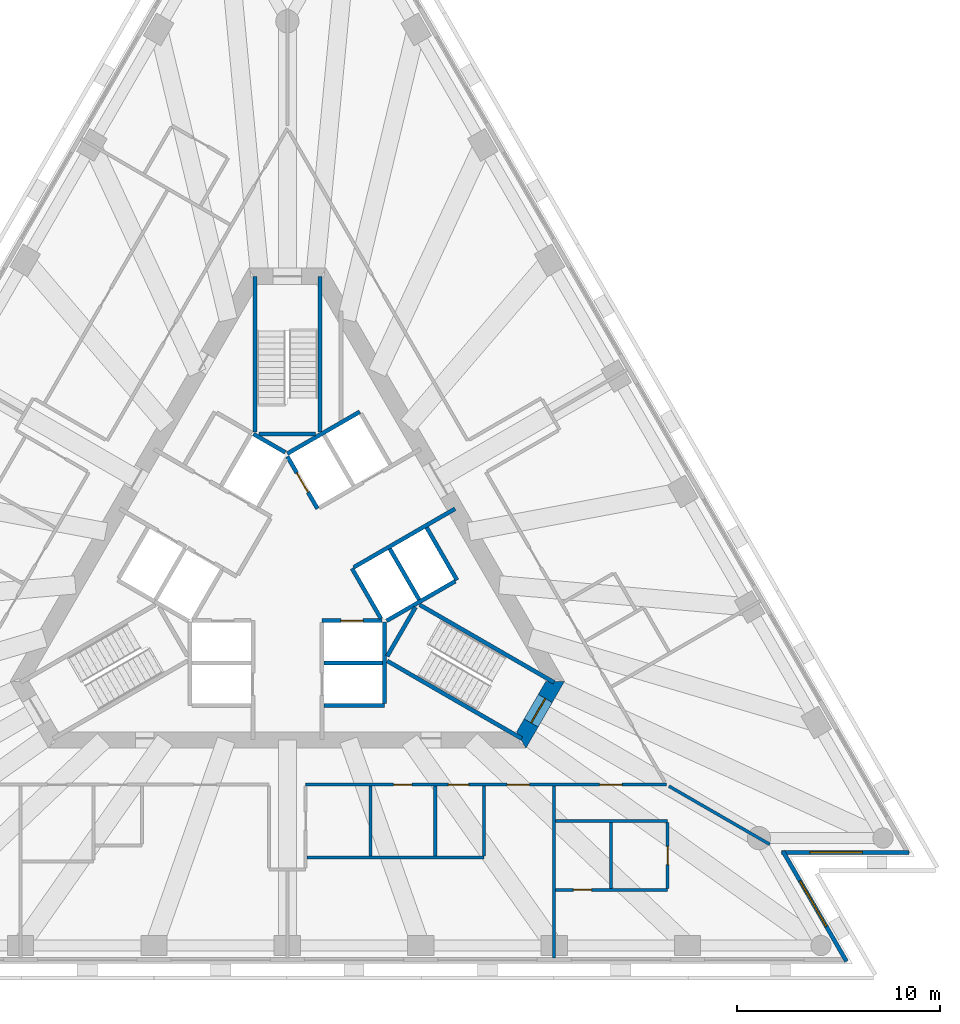
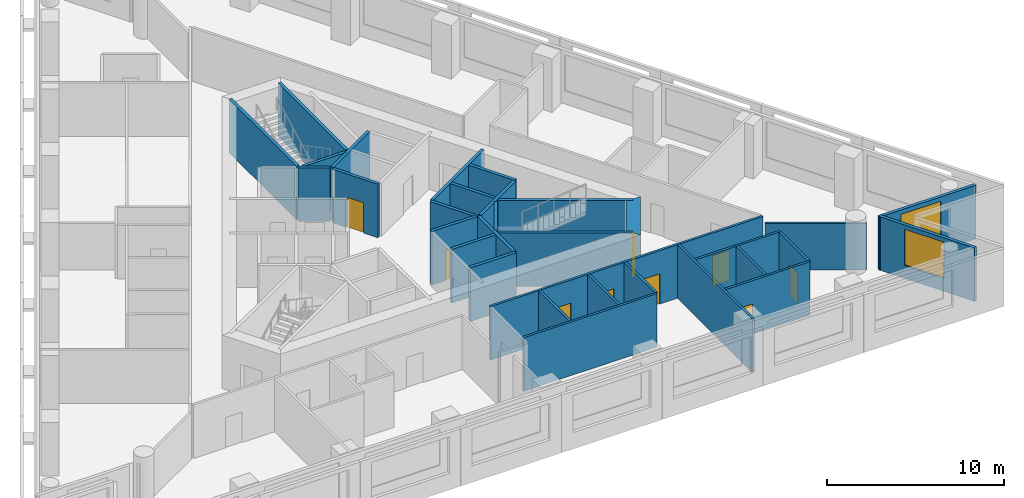
# One storey, part 5 of 10: 32 walls, 9 doors, 2 windows, 11 openings.
"""IFC4 building model written with IfcOpenShell, lengths in metres."""

from ifc_helpers import new_model, si_unit, direction, frame, frame_2d, origin, place, context, subcontext, project, spatial, polyline, rectangle, outline, extrude, material, layer, layer_set, layer_usage, type_object, element, fill, save


model = new_model("IFC4")

# Units and contexts
model_context = context("Model", 3, precision=1e-05, world=origin(), true_north=direction((0.0, 1.0)))
body_context = subcontext(model_context, "Body", "Model", "MODEL_VIEW")
ifc_project = project(units=[si_unit("LENGTHUNIT", "METRE"), si_unit("AREAUNIT", "SQUARE_METRE"), si_unit("VOLUMEUNIT", "CUBIC_METRE"), si_unit("PLANEANGLEUNIT", "RADIAN"), si_unit("MASSUNIT", "GRAM", prefix="KILO")], contexts=[model_context])

# Site, building, storey
site_placement = place(None, origin())
site = spatial("IfcSite", under=ifc_project, at=site_placement, CompositionType="ELEMENT")
building_placement = place(site_placement, origin())
building = spatial("IfcBuilding", under=site, at=building_placement, Name="Triada Interchange Tower", CompositionType="ELEMENT")
storey_placement = place(building_placement, frame((0.0, 0.0, 152.300048828125)))
storey = spatial("IfcBuildingStorey", under=building, at=storey_placement, Name="L35", CompositionType="ELEMENT", Elevation=152.300048828125)

# Walls
ifc_material_1 = material(Name="Concrete C30/37", Category="concrete")
ifc_layer_1 = layer(ifc_material_1, 0.199951171875)
ifc_layer_set_1 = layer_set([ifc_layer_1], Name="CORE WALL 200 EI 120")
wall_type_1 = type_object("IfcWallType", Name="CORE WALL 200 EI 120", PredefinedType="SOLIDWALL", material=ifc_layer_set_1)
wall_1_placement = place(storey_placement, frame((1.800048828125, -6.89990234375, 0.0), z_axis=(0.0, 0.0, 1.0), x_axis=(1.0, 0.0, 0.0)))
element("IfcWall", 1, at=wall_1_placement, inside=storey, type_object=wall_type_1, Name="Wall L35 55", PredefinedType="SOLIDWALL", context=body_context, shape_type="SweptSolid", body=[
    extrude(rectangle(XDim=3.0, YDim=0.199951171875, at=frame_2d((1.5, 0.0))), origin(), (0.0, 0.0, 1.0), 3.699951171875),
])
wall_2_placement = place(storey_placement, frame((1.800048828125, -4.800048828125, 0.0), z_axis=(0.0, 0.0, 1.0), x_axis=(1.0, 0.0, 0.0)))
element("IfcWall", 2, at=wall_2_placement, inside=storey, type_object=wall_type_1, Name="Wall L35 57", PredefinedType="SOLIDWALL", context=body_context, shape_type="SweptSolid", body=[
    extrude(rectangle(XDim=2.89990234375, YDim=0.199951171875, at=frame_2d((1.449951171875, 0.0))), origin(), (0.0, 0.0, 1.0), 3.699951171875),
])

# Wall, opening, door
wall_3_placement = place(storey_placement, frame((1.702880859375, -2.699951171875, 0.0), z_axis=(0.0, 0.0, 1.0), x_axis=(1.0, 0.0, 0.0)))
wall_3 = element("IfcWall", 3, at=wall_3_placement, inside=storey, type_object=wall_type_1, Name="Wall L35 60", PredefinedType="SOLIDWALL", context=body_context, shape_type="SweptSolid", body=[
    extrude(rectangle(XDim=2.97314453125, YDim=0.199951171875, at=frame_2d((1.486572265625, 0.0))), origin(), (0.0, 0.0, 1.0), 3.699951171875),
])
opening_1_placement = place(wall_3_placement, frame((0.93603515625, 0.0, 0.0)))
opening_1 = element("IfcOpeningElement", 4, at=opening_1_placement, cuts=wall_3, Name="Opening LD-LR1", PredefinedType="OPENING", context=body_context, shape_type="SweptSolid", body=[
    extrude(rectangle(XDim=1.10009765625, YDim=2.10009765625, at=frame_2d((0.550048828125, 1.050048828125))), frame((0.0, 0.10986328125, 0.0), z_axis=(0.0, -1.0, 0.0), x_axis=(1.0, 0.0, 0.0)), (0.0, 0.0, 1.0), 0.219970703125),
])
ifc_material_2 = material(Name="Steel S235 door leaf", Category="steel")
door_type_1 = type_object("IfcDoorType", Name="LIFT LANDING DOOR 1100 EI 120", OperationType="SLIDING_TO_LEFT", PredefinedType="DOOR", material=ifc_material_2)
door_1_placement = place(opening_1_placement, origin())
door_1 = element("IfcDoor", 5, at=door_1_placement, inside=storey, type_object=door_type_1, Name="LR1 landing door L35", OperationType="SLIDING_TO_LEFT", OverallHeight=2.10009765625, OverallWidth=1.10009765625, PredefinedType="DOOR", context=body_context, shape_type="SweptSolid", body=[
    extrude(rectangle(XDim=1.10009765625, YDim=2.10009765625, at=frame_2d((0.550048828125, 1.050048828125))), frame((0.0, 0.02490234375, 0.0), z_axis=(0.0, -1.0, 0.0), x_axis=(1.0, 0.0, 0.0)), (0.0, 0.0, 1.0), 0.050048828125),
])
fill(opening_1, door_1)

# Wall
wall_4_placement = place(storey_placement, frame((-0.001953125, 5.541015625, 0.0), z_axis=(0.0, 0.0, 1.0), x_axis=(0.86600155993, 0.500041296494, 0.0)))
element("IfcWall", 6, at=wall_4_placement, inside=storey, type_object=wall_type_1, Name="Wall L35 61", PredefinedType="SOLIDWALL", context=body_context, shape_type="SweptSolid", body=[
    extrude(rectangle(XDim=4.131591796875, YDim=0.199951171875, at=frame_2d((2.06591796875, 0.0))), origin(), (0.0, 0.0, 1.0), 3.699951171875),
])

# Wall, opening, door
wall_5_placement = place(storey_placement, frame((0.0, 5.39990234375, 0.0), z_axis=(0.0, 0.0, 1.0), x_axis=(0.500103862429, -0.865965430478, 0.0)))
wall_5 = element("IfcWall", 7, at=wall_5_placement, inside=storey, type_object=wall_type_1, Name="Wall L35 62", PredefinedType="SOLIDWALL", context=body_context, shape_type="SweptSolid", body=[
    extrude(rectangle(XDim=2.973388671875, YDim=0.199951171875, at=frame_2d((1.48681640625, 0.0))), origin(), (0.0, 0.0, 1.0), 3.699951171875),
])
opening_2_placement = place(wall_5_placement, frame((0.93701171875, 0.0, 0.0)))
opening_2 = element("IfcOpeningElement", 8, at=opening_2_placement, cuts=wall_5, Name="Opening LD-LR5", PredefinedType="OPENING", context=body_context, shape_type="SweptSolid", body=[
    extrude(rectangle(XDim=1.10009765625, YDim=2.10009765625, at=frame_2d((0.550048828125, 1.050048828125))), frame((0.0, 0.10986328125, 0.0), z_axis=(0.0, -1.0, 0.0), x_axis=(1.0, 0.0, 0.0)), (0.0, 0.0, 1.0), 0.219970703125),
])
door_2_placement = place(opening_2_placement, origin())
door_2 = element("IfcDoor", 9, at=door_2_placement, inside=storey, type_object=door_type_1, Name="LR5 landing door L35", OperationType="SLIDING_TO_LEFT", OverallHeight=2.10009765625, OverallWidth=1.10009765625, PredefinedType="DOOR", context=body_context, shape_type="SweptSolid", body=[
    extrude(rectangle(XDim=1.10009765625, YDim=2.10009765625, at=frame_2d((0.550048828125, 1.050048828125))), frame((0.0, 0.02490234375, 0.0), z_axis=(0.0, -1.0, 0.0), x_axis=(1.0, 0.0, 0.0)), (0.0, 0.0, 1.0), 0.050048828125),
])
fill(opening_2, door_2)

# Walls
wall_6_placement = place(storey_placement, frame((3.18994140625, -0.125, 0.0), z_axis=(0.0, 0.0, 1.0), x_axis=(0.499988658015, -0.866031951983, 0.0)))
element("IfcWall", 10, at=wall_6_placement, inside=storey, type_object=wall_type_1, Name="Wall L35 63", PredefinedType="SOLIDWALL", context=body_context, shape_type="SweptSolid", body=[
    extrude(rectangle(XDim=2.85791015625, YDim=0.199951171875, at=frame_2d((1.428955078125, 0.0))), origin(), (0.0, 0.0, 1.0), 3.699951171875),
])
wall_7_placement = place(storey_placement, frame((4.800048828125, -6.800048828125, 0.0), z_axis=(0.0, 0.0, 1.0), x_axis=(0.0, 1.0, 0.0)))
element("IfcWall", 11, at=wall_7_placement, inside=storey, type_object=wall_type_1, Name="Wall L35 66", PredefinedType="SOLIDWALL", context=body_context, shape_type="SweptSolid", body=[
    extrude(rectangle(XDim=4.029052734375, YDim=0.199951171875, at=frame_2d((2.0146484375, 0.0))), origin(), (0.0, 0.0, 1.0), 3.699951171875),
])
wall_8_placement = place(storey_placement, frame((5.056884765625, 0.841064453125, 0.0), z_axis=(0.0, 0.0, 1.0), x_axis=(0.50012328804, -0.865954211699, 0.0)))
element("IfcWall", 12, at=wall_8_placement, inside=storey, type_object=wall_type_1, Name="Wall L35 68", PredefinedType="SOLIDWALL", context=body_context, shape_type="SweptSolid", body=[
    extrude(rectangle(XDim=2.899658203125, YDim=0.199951171875, at=frame_2d((1.44970703125, 0.0))), origin(), (0.0, 0.0, 1.0), 3.699951171875),
])
wall_9_placement = place(storey_placement, frame((6.8759765625, 1.89111328125, 0.0), z_axis=(0.0, 0.0, 1.0), x_axis=(0.499990139034, -0.866031096941, 0.0)))
element("IfcWall", 13, at=wall_9_placement, inside=storey, type_object=wall_type_1, Name="Wall L35 70", PredefinedType="SOLIDWALL", context=body_context, shape_type="SweptSolid", body=[
    extrude(rectangle(XDim=3.0, YDim=0.199951171875, at=frame_2d((1.5, 0.0))), origin(), (0.0, 0.0, 1.0), 3.699951171875),
])
wall_10_placement = place(storey_placement, frame((3.278076171875, -0.071044921875, 0.0), z_axis=(0.0, 0.0, 1.0), x_axis=(0.865929348003, 0.5001663366, 0.0)))
element("IfcWall", 14, at=wall_10_placement, inside=storey, type_object=wall_type_1, Name="Wall L35 71", PredefinedType="SOLIDWALL", context=body_context, shape_type="SweptSolid", body=[
    extrude(rectangle(XDim=5.7763671875, YDim=0.199951171875, at=frame_2d((2.88818359375, 0.0))), origin(), (0.0, 0.0, 1.0), 3.699951171875),
])
wall_11_placement = place(storey_placement, frame((4.89990234375, -2.714111328125, 0.0), z_axis=(0.0, 0.0, 1.0), x_axis=(0.865992350556, 0.500057245502, 0.0)))
element("IfcWall", 15, at=wall_11_placement, inside=storey, type_object=wall_type_1, Name="Wall L35 72", PredefinedType="SOLIDWALL", context=body_context, shape_type="SweptSolid", body=[
    extrude(rectangle(XDim=3.91357421875, YDim=0.199951171875, at=frame_2d((1.956787109375, 0.0))), origin(), (0.0, 0.0, 1.0), 3.699951171875),
])
ifc_layer_2 = layer(ifc_material_1, 0.199951171875)
ifc_layer_set_2 = layer_set([ifc_layer_2], Name="CORE WALL 200 EI 180")
wall_type_2 = type_object("IfcWallType", Name="CORE WALL 200 EI 180", PredefinedType="SOLIDWALL", material=ifc_layer_set_2)
wall_12_placement = place(storey_placement, frame((-1.669921875, 6.507080078125, 0.0), z_axis=(0.0, 0.0, 1.0), x_axis=(0.865941441609, -0.500145398563, 0.0)))
element("IfcWall", 16, at=wall_12_placement, inside=storey, type_object=wall_type_2, Name="Shaft wall FF2 L35 86", PredefinedType="SOLIDWALL", context=body_context, shape_type="SweptSolid", body=[
    extrude(rectangle(XDim=1.8154296875, YDim=0.199951171875, at=frame_2d((0.90771484375, 0.0))), origin(), (0.0, 0.0, 1.0), 3.699951171875),
])
ifc_layer_3 = layer(ifc_material_1, 0.199951171875)
ifc_layer_set_3 = layer_set([ifc_layer_3], Name="CORE WALL 200 REI 240")
wall_type_3 = type_object("IfcWallType", Name="CORE WALL 200 REI 240", PredefinedType="SOLIDWALL", material=ifc_layer_set_3)
wall_13_placement = place(storey_placement, frame((1.60009765625, 6.614990234375, 0.0), z_axis=(0.0, 0.0, 1.0), x_axis=(0.0, 1.0, 0.0)))
element("IfcWall", 17, at=wall_13_placement, inside=storey, type_object=wall_type_3, Name="Wall L35 92", PredefinedType="SOLIDWALL", context=body_context, shape_type="SweptSolid", body=[
    extrude(rectangle(XDim=7.6650390625, YDim=0.199951171875, at=frame_2d((3.83251953125, 0.0))), origin(), (0.0, 0.0, 1.0), 3.699951171875),
])
wall_14_placement = place(storey_placement, frame((-1.39990234375, 6.5, 0.0), z_axis=(0.0, 0.0, 1.0), x_axis=(1.0, 0.0, 0.0)))
element("IfcWall", 18, at=wall_14_placement, inside=storey, type_object=wall_type_3, Name="Wall L35 93", PredefinedType="SOLIDWALL", context=body_context, shape_type="SweptSolid", body=[
    extrude(rectangle(XDim=2.7998046875, YDim=0.199951171875, at=frame_2d((1.39990234375, 0.0))), origin(), (0.0, 0.0, 1.0), 3.699951171875),
])
for number, where, z_axis, x_axis, name in (
    (19, (-1.60009765625, 6.614990234375, 0.0), (0.0, 0.0, 1.0), (0.0, 1.0, 0.0), "Wall L35 94"),
    (20, (4.928955078125, -4.693115234375, 0.0), (0.0, 0.0, 1.0), (0.866005769735, -0.50003400563, 0.0), "Wall L35 95"),
):
    element("IfcWall", number, at=place(storey_placement, frame(where, z_axis=z_axis, x_axis=x_axis)), inside=storey, type_object=wall_type_3, Name=name, PredefinedType="SOLIDWALL", context=body_context, shape_type="SweptSolid", body=[
        extrude(rectangle(XDim=7.6650390625, YDim=0.199951171875, at=frame_2d((3.83251953125, 0.0))), origin(), (0.0, 0.0, 1.0), 3.699951171875),
    ])
wall_15_placement = place(storey_placement, frame((4.928955078125, -4.4619140625, 0.0), z_axis=(0.0, 0.0, 1.0), x_axis=(0.500200581029, 0.865909567298, 0.0)))
element("IfcWall", 21, at=wall_15_placement, inside=storey, type_object=wall_type_3, Name="Wall L35 96", PredefinedType="SOLIDWALL", context=body_context, shape_type="SweptSolid", body=[
    extrude(rectangle(XDim=2.799072265625, YDim=0.199951171875, at=frame_2d((1.3994140625, 0.0))), origin(), (0.0, 0.0, 1.0), 3.699951171875),
])
wall_16_placement = place(storey_placement, frame((6.529052734375, -1.922119140625, 0.0), z_axis=(0.0, 0.0, 1.0), x_axis=(0.866060938598, -0.499938446846, 0.0)))
element("IfcWall", 22, at=wall_16_placement, inside=storey, type_object=wall_type_3, Name="Wall L35 97", PredefinedType="SOLIDWALL", context=body_context, shape_type="SweptSolid", body=[
    extrude(rectangle(XDim=7.66455078125, YDim=0.199951171875, at=frame_2d((3.832275390625, 0.0))), origin(), (0.0, 0.0, 1.0), 3.699951171875),
])

# Wall, opening, door
ifc_material_3 = material(Name="Concrete C60/75", Category="concrete")
ifc_layer_4 = layer(ifc_material_3, 0.800048828125)
ifc_layer_set_4 = layer_set([ifc_layer_4], Name="Core wall B 800")
wall_type_4 = type_object("IfcWallType", Name="Core wall B 800", PredefinedType="SHEAR", material=ifc_layer_set_4)
wall_17_placement = place(storey_placement, frame((11.547119140625, -8.60009765625, -0.300048828125), z_axis=(0.0, 0.0, 1.0), x_axis=(0.49987182685, 0.866099391942, 0.0)))
wall_17 = element("IfcWall", 23, at=wall_17_placement, inside=storey, type_object=wall_type_4, Name="Core wall WB05 L35", PredefinedType="SHEAR", context=body_context, shape_type="SweptSolid", body=[
    extrude(outline(polyline([(-0.23095703125, -0.39990234375), (1.674072265625, -0.39990234375), (3.5791015625, -0.39990234375), (3.117919921875, 0.39990234375), (1.67431640625, 0.39990234375), (0.23095703125, 0.39990234375), (-0.23095703125, -0.39990234375)])), origin(), (0.0, 0.0, 1.0), 4.0),
])
opening_3_placement = place(wall_17_placement, frame((0.97412109375, 0.0, 0.300048828125)))
opening_3 = element("IfcOpeningElement", 24, at=opening_3_placement, cuts=wall_17, Name="Opening D35-39", PredefinedType="OPENING", context=body_context, shape_type="SweptSolid", body=[
    extrude(rectangle(XDim=1.39990234375, YDim=2.10009765625, at=frame_2d((0.699951171875, 1.050048828125))), frame((0.0, 0.409912109375, 0.0), z_axis=(0.0, -1.0, 0.0), x_axis=(1.0, 0.0, 0.0)), (0.0, 0.0, 1.0), 0.820068359375),
])
door_type_2 = type_object("IfcDoorType", Name="STAIR DOOR 1400 EI2 90-C5S200", OperationType="DOUBLE_DOOR_SINGLE_SWING", PredefinedType="DOOR", material=ifc_material_2)
door_3_placement = place(opening_3_placement, origin())
door_3 = element("IfcDoor", 25, at=door_3_placement, inside=storey, type_object=door_type_2, Name="Door D35-39 L35", OperationType="DOUBLE_DOOR_SINGLE_SWING", OverallHeight=2.10009765625, OverallWidth=1.39990234375, PredefinedType="DOOR", context=body_context, shape_type="SweptSolid", body=[
    extrude(rectangle(XDim=1.39990234375, YDim=2.10009765625, at=frame_2d((0.699951171875, 1.050048828125))), frame((0.0, 0.02490234375, 0.0), z_axis=(0.0, -1.0, 0.0), x_axis=(1.0, 0.0, 0.0)), (0.0, 0.0, 1.0), 0.050048828125),
])
fill(opening_3, door_3)

# Wall, opening, window
ifc_material_4 = material(Name="Cement board")
ifc_layer_5 = layer(ifc_material_4, 0.02001953125, Name="Cement board cladding")
ifc_material_5 = material(Name="Sheathing board")
ifc_layer_6 = layer(ifc_material_5, 0.014892578125, Name="Sheathing board")
ifc_material_6 = material(Name="Mineral wool")
ifc_layer_7 = layer(ifc_material_6, 0.14990234375, Name="Mineral wool between steel studs")
ifc_material_7 = material(Name="Gypsum board")
ifc_layer_8 = layer(ifc_material_7, 0.014892578125, Name="Plasterboard lining")
ifc_layer_set_5 = layer_set([ifc_layer_5, ifc_layer_6, ifc_layer_7, ifc_layer_8], Name="External wall 200")
ifc_layer_usage = layer_usage(ifc_layer_set_5, "AXIS2", "POSITIVE", -0.10009765625)
wall_type_5 = type_object("IfcWallType", Name="External wall 200", PredefinedType="ELEMENTEDWALL", material=ifc_layer_set_5)
wall_18_placement = place(storey_placement, frame((27.60205078125, -19.52392578125, 0.0), z_axis=(0.0, 0.0, 1.0), x_axis=(-0.500074377092, 0.865982457891, 0.0)))
wall_18 = element("IfcWall", 26, at=wall_18_placement, inside=storey, type_object=wall_type_5, material=ifc_layer_usage, Name="External wall L35 SE-1", PredefinedType="ELEMENTEDWALL", context=body_context, shape_type="SweptSolid", body=[
    extrude(rectangle(XDim=6.28515625, YDim=0.199951171875, at=frame_2d((3.142578125, 0.0))), origin(), (0.0, 0.0, 1.0), 3.699951171875),
])
opening_4_placement = place(wall_18_placement, frame((1.989990234375, 0.0, 0.89990234375)))
opening_4 = element("IfcOpeningElement", 27, at=opening_4_placement, cuts=wall_18, Name="Opening WB19", PredefinedType="OPENING", context=body_context, shape_type="SweptSolid", body=[
    extrude(rectangle(XDim=2.60009765625, YDim=2.5, at=frame_2d((1.300048828125, 1.25))), frame((0.0, 0.10986328125, 0.0), z_axis=(0.0, -1.0, 0.0), x_axis=(1.0, 0.0, 0.0)), (0.0, 0.0, 1.0), 0.219970703125),
])
ifc_material_8 = material(Name="Double glazed aluminium window", Category="aluminium")
window_type = type_object("IfcWindowType", Name="Ribbon window B pocket", PartitioningType="SINGLE_PANEL", PredefinedType="WINDOW", material=ifc_material_8)
window_1_placement = place(opening_4_placement, origin())
window_1 = element("IfcWindow", 28, at=window_1_placement, inside=storey, type_object=window_type, Name="Window L35 SE-1 1", OverallHeight=2.5, OverallWidth=2.60009765625, PartitioningType="SINGLE_PANEL", PredefinedType="WINDOW", context=body_context, shape_type="SweptSolid", body=[
    extrude(rectangle(XDim=2.60009765625, YDim=2.5, at=frame_2d((1.300048828125, 1.25))), frame((0.0, 0.030029296875, 0.0), z_axis=(0.0, -1.0, 0.0), x_axis=(1.0, 0.0, 0.0)), (0.0, 0.0, 1.0), 0.06005859375),
])
fill(opening_4, window_1)

wall_19_placement = place(storey_placement, frame((24.404052734375, -14.14208984375, 0.0), z_axis=(0.0, 0.0, 1.0), x_axis=(1.0, 0.0, 0.0)))
wall_19 = element("IfcWall", 29, at=wall_19_placement, inside=storey, type_object=wall_type_5, material=ifc_layer_usage, Name="External wall L35 SE-2", PredefinedType="ELEMENTEDWALL", context=body_context, shape_type="SweptSolid", body=[
    extrude(rectangle(XDim=6.284912109375, YDim=0.199951171875, at=frame_2d((3.142578125, 0.0))), origin(), (0.0, 0.0, 1.0), 3.699951171875),
])
opening_5_placement = place(wall_19_placement, frame((1.389892578125, 0.0, 0.89990234375)))
opening_5 = element("IfcOpeningElement", 30, at=opening_5_placement, cuts=wall_19, Name="Opening WB20", PredefinedType="OPENING", context=body_context, shape_type="SweptSolid", body=[
    extrude(rectangle(XDim=2.60009765625, YDim=2.5, at=frame_2d((1.300048828125, 1.25))), frame((0.0, 0.10986328125, 0.0), z_axis=(0.0, -1.0, 0.0), x_axis=(1.0, 0.0, 0.0)), (0.0, 0.0, 1.0), 0.219970703125),
])
window_2_placement = place(opening_5_placement, origin())
window_2 = element("IfcWindow", 31, at=window_2_placement, inside=storey, type_object=window_type, Name="Window L35 SE-2 1", OverallHeight=2.5, OverallWidth=2.60009765625, PartitioningType="SINGLE_PANEL", PredefinedType="WINDOW", context=body_context, shape_type="SweptSolid", body=[
    extrude(rectangle(XDim=2.60009765625, YDim=2.5, at=frame_2d((1.300048828125, 1.25))), frame((0.0, 0.030029296875, 0.0), z_axis=(0.0, -1.0, 0.0), x_axis=(1.0, 0.0, 0.0)), (0.0, 0.0, 1.0), 0.06005859375),
])
fill(opening_5, window_2)

# Wall, openings, doors
ifc_material_9 = material(Name="Gypsum board partition")
ifc_layer_9 = layer(ifc_material_9, 0.14990234375)
ifc_layer_set_6 = layer_set([ifc_layer_9], Name="PARTITION 150 EI 180")
wall_type_6 = type_object("IfcWallType", Name="PARTITION 150 EI 180", PredefinedType="PARTITIONING", material=ifc_layer_set_6)
wall_20_placement = place(storey_placement, frame((0.90087890625, -10.800048828125, 0.0), z_axis=(0.0, 0.0, 1.0), x_axis=(1.0, 0.0, 0.0)))
wall_20 = element("IfcWall", 32, at=wall_20_placement, inside=storey, type_object=wall_type_6, Name="Wall L35 5", PredefinedType="PARTITIONING", context=body_context, shape_type="SweptSolid", body=[
    extrude(rectangle(XDim=17.80517578125, YDim=0.14990234375, at=frame_2d((8.902587890625, 0.0))), origin(), (0.0, 0.0, 1.0), 3.699951171875),
])
opening_6_placement = place(wall_20_placement, frame((9.948974609375, 0.0, 0.0)))
opening_6 = element("IfcOpeningElement", 33, at=opening_6_placement, cuts=wall_20, Name="Opening D35-15", PredefinedType="OPENING", context=body_context, shape_type="SweptSolid", body=[
    extrude(rectangle(XDim=1.10009765625, YDim=2.10009765625, at=frame_2d((0.550048828125, 1.050048828125))), frame((0.0, 0.0849609375, 0.0), z_axis=(0.0, -1.0, 0.0), x_axis=(1.0, 0.0, 0.0)), (0.0, 0.0, 1.0), 0.169921875),
])
opening_7_placement = place(wall_20_placement, frame((4.34912109375, 0.0, 0.0)))
opening_7 = element("IfcOpeningElement", 34, at=opening_7_placement, cuts=wall_20, Name="Opening D35-17", PredefinedType="OPENING", context=body_context, shape_type="SweptSolid", body=[
    extrude(rectangle(XDim=0.89990234375, YDim=2.10009765625, at=frame_2d((0.449951171875, 1.050048828125))), frame((0.0, 0.0849609375, 0.0), z_axis=(0.0, -1.0, 0.0), x_axis=(1.0, 0.0, 0.0)), (0.0, 0.0, 1.0), 0.169921875),
])
opening_8_placement = place(wall_20_placement, frame((7.049072265625, 0.0, 0.0)))
opening_8 = element("IfcOpeningElement", 35, at=opening_8_placement, cuts=wall_20, Name="Opening D35-18", PredefinedType="OPENING", context=body_context, shape_type="SweptSolid", body=[
    extrude(rectangle(XDim=1.0, YDim=2.10009765625, at=frame_2d((0.5, 1.050048828125))), frame((0.0, 0.0849609375, 0.0), z_axis=(0.0, -1.0, 0.0), x_axis=(1.0, 0.0, 0.0)), (0.0, 0.0, 1.0), 0.169921875),
])
opening_9_placement = place(wall_20_placement, frame((14.52099609375, 0.0, 0.0)))
opening_9 = element("IfcOpeningElement", 36, at=opening_9_placement, cuts=wall_20, Name="Opening D35-19", PredefinedType="OPENING", context=body_context, shape_type="SweptSolid", body=[
    extrude(rectangle(XDim=1.10009765625, YDim=2.10009765625, at=frame_2d((0.550048828125, 1.050048828125))), frame((0.0, 0.0849609375, 0.0), z_axis=(0.0, -1.0, 0.0), x_axis=(1.0, 0.0, 0.0)), (0.0, 0.0, 1.0), 0.169921875),
])
door_type_3 = type_object("IfcDoorType", Name="ROOM DOOR 1000 EI2 90-C5S200", OperationType="NOTDEFINED", PredefinedType="DOOR", material=ifc_material_2)
door_4_placement = place(opening_8_placement, origin())
door_4 = element("IfcDoor", 37, at=door_4_placement, inside=storey, type_object=door_type_3, Name="Door D35-18 L35", OperationType="SINGLE_SWING_LEFT", OverallHeight=2.10009765625, OverallWidth=1.0, PredefinedType="DOOR", context=body_context, shape_type="SweptSolid", body=[
    extrude(rectangle(XDim=1.0, YDim=2.10009765625, at=frame_2d((0.5, 1.050048828125))), frame((0.0, 0.02490234375, 0.0), z_axis=(0.0, -1.0, 0.0), x_axis=(1.0, 0.0, 0.0)), (0.0, 0.0, 1.0), 0.050048828125),
])
fill(opening_8, door_4)
door_type_4 = type_object("IfcDoorType", Name="ROOM DOOR 900 EI2 90-C5S200", OperationType="NOTDEFINED", PredefinedType="DOOR", material=ifc_material_2)
door_5_placement = place(opening_7_placement, origin())
door_5 = element("IfcDoor", 38, at=door_5_placement, inside=storey, type_object=door_type_4, Name="Door D35-17 L35", OperationType="SINGLE_SWING_RIGHT", OverallHeight=2.10009765625, OverallWidth=0.89990234375, PredefinedType="DOOR", context=body_context, shape_type="SweptSolid", body=[
    extrude(rectangle(XDim=0.89990234375, YDim=2.10009765625, at=frame_2d((0.449951171875, 1.050048828125))), frame((0.0, 0.02490234375, 0.0), z_axis=(0.0, -1.0, 0.0), x_axis=(1.0, 0.0, 0.0)), (0.0, 0.0, 1.0), 0.050048828125),
])
fill(opening_7, door_5)
door_type_5 = type_object("IfcDoorType", Name="TENANCY ENTRANCE DOOR 1100 EI2 90-C5S200", OperationType="NOTDEFINED", PredefinedType="DOOR", material=ifc_material_2)
door_6_placement = place(opening_6_placement, origin())
door_6 = element("IfcDoor", 39, at=door_6_placement, inside=storey, type_object=door_type_5, Name="Door D35-15 L35", OperationType="SINGLE_SWING_LEFT", OverallHeight=2.10009765625, OverallWidth=1.10009765625, PredefinedType="DOOR", context=body_context, shape_type="SweptSolid", body=[
    extrude(rectangle(XDim=1.10009765625, YDim=2.10009765625, at=frame_2d((0.550048828125, 1.050048828125))), frame((0.0, 0.02490234375, 0.0), z_axis=(0.0, -1.0, 0.0), x_axis=(1.0, 0.0, 0.0)), (0.0, 0.0, 1.0), 0.050048828125),
])
fill(opening_6, door_6)
door_7_placement = place(opening_9_placement, origin())
door_7 = element("IfcDoor", 40, at=door_7_placement, inside=storey, type_object=door_type_5, Name="Door D35-19 L35", OperationType="SINGLE_SWING_LEFT", OverallHeight=2.10009765625, OverallWidth=1.10009765625, PredefinedType="DOOR", context=body_context, shape_type="SweptSolid", body=[
    extrude(rectangle(XDim=1.10009765625, YDim=2.10009765625, at=frame_2d((0.550048828125, 1.050048828125))), frame((0.0, 0.02490234375, 0.0), z_axis=(0.0, -1.0, 0.0), x_axis=(1.0, 0.0, 0.0)), (0.0, 0.0, 1.0), 0.050048828125),
])
fill(opening_9, door_7)

# Walls
wall_21_placement = place(storey_placement, frame((18.8359375, -10.875, 0.0), z_axis=(0.0, 0.0, 1.0), x_axis=(0.86606191518, -0.499936755075, 0.0)))
element("IfcWall", 41, at=wall_21_placement, inside=storey, type_object=wall_type_6, Name="Wall L35 9", PredefinedType="PARTITIONING", context=body_context, shape_type="SweptSolid", body=[
    extrude(rectangle(XDim=5.752685546875, YDim=0.14990234375, at=frame_2d((2.87646484375, 0.0))), origin(), (0.0, 0.0, 1.0), 3.199951171875),
])
wall_22_placement = place(storey_placement, frame((0.97509765625, -14.39990234375, 0.0), z_axis=(0.0, 0.0, 1.0), x_axis=(1.0, 0.0, 0.0)))
element("IfcWall", 42, at=wall_22_placement, inside=storey, type_object=wall_type_6, Name="Wall L35 32", PredefinedType="PARTITIONING", context=body_context, shape_type="SweptSolid", body=[
    extrude(rectangle(XDim=8.724853515625, YDim=0.14990234375, at=frame_2d((4.3623046875, 0.0))), origin(), (0.0, 0.0, 1.0), 3.699951171875),
])
for number, where, z_axis, x_axis, name in (
    (43, (4.10009765625, -14.324951171875, 0.0), (0.0, 0.0, 1.0), (0.0, 1.0, 0.0), "Wall L35 33"),
    (44, (9.699951171875, -14.324951171875, 0.0), (0.0, 0.0, 1.0), (0.0, 1.0, 0.0), "Wall L35 34"),
    (45, (7.300048828125, -14.324951171875, 0.0), (0.0, 0.0, 1.0), (0.0, 1.0, 0.0), "Wall L35 35"),
):
    element("IfcWall", number, at=place(storey_placement, frame(where, z_axis=z_axis, x_axis=x_axis)), inside=storey, type_object=wall_type_6, Name=name, PredefinedType="PARTITIONING", context=body_context, shape_type="SweptSolid", body=[
        extrude(rectangle(XDim=3.449951171875, YDim=0.14990234375, at=frame_2d((1.72509765625, 0.0))), origin(), (0.0, 0.0, 1.0), 3.699951171875),
    ])
wall_23_placement = place(storey_placement, frame((13.172119140625, -19.365966796875, 0.0), z_axis=(0.0, 0.0, 1.0), x_axis=(0.0, 1.0, 0.0)))
element("IfcWall", 46, at=wall_23_placement, inside=storey, type_object=wall_type_6, Name="Wall L35 37", PredefinedType="PARTITIONING", context=body_context, shape_type="SweptSolid", body=[
    extrude(rectangle(XDim=8.490966796875, YDim=0.14990234375, at=frame_2d((4.24560546875, 0.0))), origin(), (0.0, 0.0, 1.0), 3.699951171875),
])

# Wall, opening, door
ifc_layer_10 = layer(ifc_material_9, 0.14990234375)
ifc_layer_set_7 = layer_set([ifc_layer_10], Name="PARTITION 150 EI 90")
wall_type_7 = type_object("IfcWallType", Name="PARTITION 150 EI 90", PredefinedType="PARTITIONING", material=ifc_layer_set_7)
wall_24_placement = place(storey_placement, frame((13.2470703125, -16.0, 0.0), z_axis=(0.0, 0.0, 1.0), x_axis=(1.0, 0.0, 0.0)))
wall_24 = element("IfcWall", 47, at=wall_24_placement, inside=storey, type_object=wall_type_7, Name="Wall L35 47", PredefinedType="PARTITIONING", context=body_context, shape_type="SweptSolid", body=[
    extrude(rectangle(XDim=5.52490234375, YDim=0.14990234375, at=frame_2d((2.762451171875, 0.0))), origin(), (0.0, 0.0, 1.0), 3.699951171875),
])
opening_10_placement = place(wall_24_placement, frame((0.875, 0.0, 0.0)))
opening_10 = element("IfcOpeningElement", 48, at=opening_10_placement, cuts=wall_24, Name="Opening D35-20", PredefinedType="OPENING", context=body_context, shape_type="SweptSolid", body=[
    extrude(rectangle(XDim=0.89990234375, YDim=2.10009765625, at=frame_2d((0.449951171875, 1.050048828125))), frame((0.0, 0.0849609375, 0.0), z_axis=(0.0, -1.0, 0.0), x_axis=(1.0, 0.0, 0.0)), (0.0, 0.0, 1.0), 0.169921875),
])
door_type_6 = type_object("IfcDoorType", Name="ROOM DOOR 900 EI2 45-C5S200", OperationType="NOTDEFINED", PredefinedType="DOOR", material=ifc_material_2)
door_8_placement = place(opening_10_placement, origin())
door_8 = element("IfcDoor", 49, at=door_8_placement, inside=storey, type_object=door_type_6, Name="Door D35-20 L35", OperationType="SINGLE_SWING_LEFT", OverallHeight=2.10009765625, OverallWidth=0.89990234375, PredefinedType="DOOR", context=body_context, shape_type="SweptSolid", body=[
    extrude(rectangle(XDim=0.89990234375, YDim=2.10009765625, at=frame_2d((0.449951171875, 1.050048828125))), frame((0.0, 0.02490234375, 0.0), z_axis=(0.0, -1.0, 0.0), x_axis=(1.0, 0.0, 0.0)), (0.0, 0.0, 1.0), 0.050048828125),
])
fill(opening_10, door_8)

# Wall
wall_25_placement = place(storey_placement, frame((13.2470703125, -12.60009765625, 0.0), z_axis=(0.0, 0.0, 1.0), x_axis=(1.0, 0.0, 0.0)))
element("IfcWall", 50, at=wall_25_placement, inside=storey, type_object=wall_type_7, Name="Wall L35 48", PredefinedType="PARTITIONING", context=body_context, shape_type="SweptSolid", body=[
    extrude(rectangle(XDim=5.52490234375, YDim=0.14990234375, at=frame_2d((2.762451171875, 0.0))), origin(), (0.0, 0.0, 1.0), 3.699951171875),
])

# Wall, opening, door
wall_26_placement = place(storey_placement, frame((18.77197265625, -15.925048828125, 0.0), z_axis=(0.0, 0.0, 1.0), x_axis=(0.0, 1.0, 0.0)))
wall_26 = element("IfcWall", 51, at=wall_26_placement, inside=storey, type_object=wall_type_7, Name="Wall L35 49", PredefinedType="PARTITIONING", context=body_context, shape_type="SweptSolid", body=[
    extrude(rectangle(XDim=3.25, YDim=0.14990234375, at=frame_2d((1.625, 0.0))), origin(), (0.0, 0.0, 1.0), 3.699951171875),
])
opening_11_placement = place(wall_26_placement, frame((1.175048828125, 0.0, 0.0)))
opening_11 = element("IfcOpeningElement", 52, at=opening_11_placement, cuts=wall_26, Name="Opening D35-21", PredefinedType="OPENING", context=body_context, shape_type="SweptSolid", body=[
    extrude(rectangle(XDim=0.89990234375, YDim=2.10009765625, at=frame_2d((0.449951171875, 1.050048828125))), frame((0.0, 0.0849609375, 0.0), z_axis=(0.0, -1.0, 0.0), x_axis=(1.0, 0.0, 0.0)), (0.0, 0.0, 1.0), 0.169921875),
])
door_9_placement = place(opening_11_placement, origin())
door_9 = element("IfcDoor", 53, at=door_9_placement, inside=storey, type_object=door_type_6, Name="Door D35-21 L35", OperationType="SINGLE_SWING_RIGHT", OverallHeight=2.10009765625, OverallWidth=0.89990234375, PredefinedType="DOOR", context=body_context, shape_type="SweptSolid", body=[
    extrude(rectangle(XDim=0.89990234375, YDim=2.10009765625, at=frame_2d((0.449951171875, 1.050048828125))), frame((0.0, 0.02490234375, 0.0), z_axis=(0.0, -1.0, 0.0), x_axis=(1.0, 0.0, 0.0)), (0.0, 0.0, 1.0), 0.050048828125),
])
fill(opening_11, door_9)

# Wall
wall_27_placement = place(storey_placement, frame((15.971923828125, -15.925048828125, 0.0), z_axis=(0.0, 0.0, 1.0), x_axis=(0.0, 1.0, 0.0)))
element("IfcWall", 54, at=wall_27_placement, inside=storey, type_object=wall_type_7, Name="Wall L35 50", PredefinedType="PARTITIONING", context=body_context, shape_type="SweptSolid", body=[
    extrude(rectangle(XDim=3.25, YDim=0.14990234375, at=frame_2d((1.625, 0.0))), origin(), (0.0, 0.0, 1.0), 3.699951171875),
])

save(model, "model.ifc")
